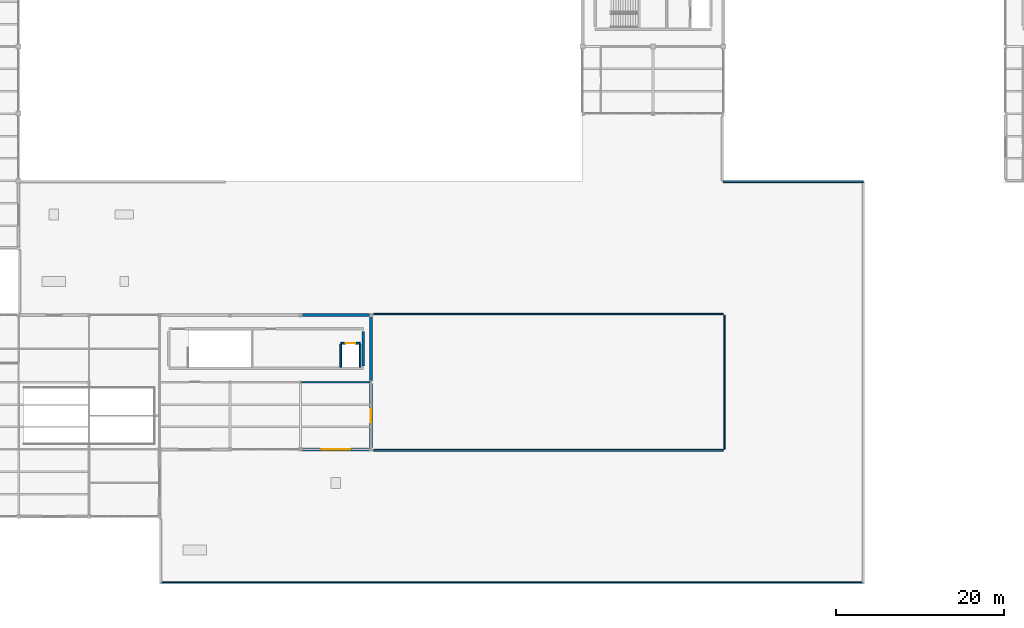
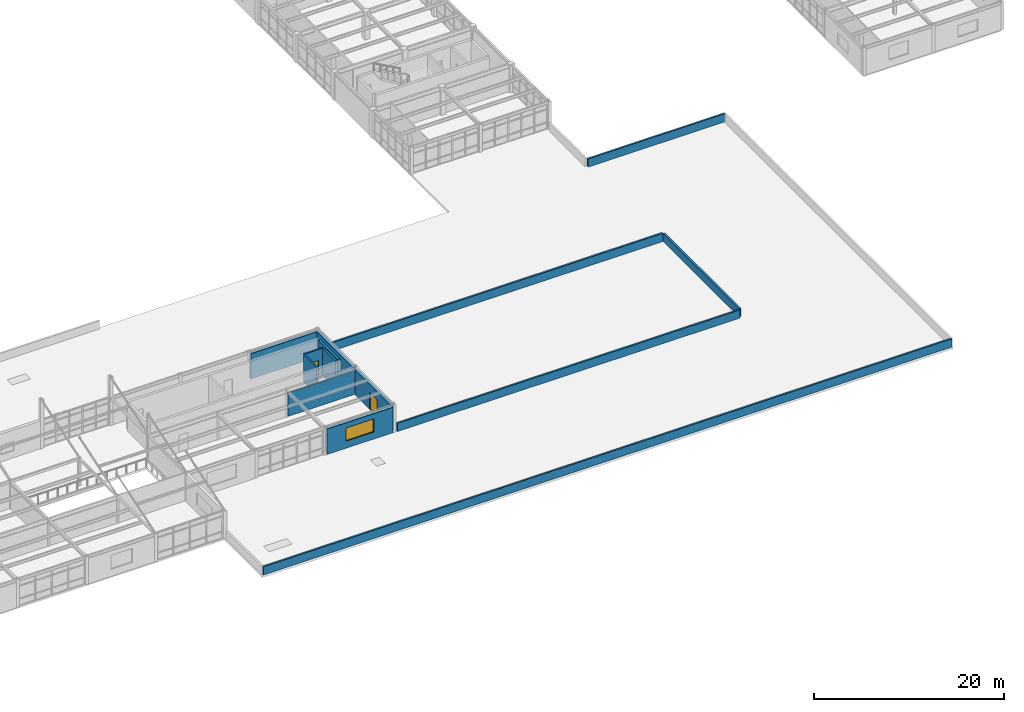
# One storey, part 48 of 96: 14 walls, 2 doors, 1 window, 3 openings.
"""IFC4 building model written with IfcOpenShell, lengths in metres."""

from ifc_helpers import new_model, si_unit, direction, frame, frame_2d, origin, place, context, subcontext, project, spatial, rectangle, extrude, material, layer, layer_set, type_object, element, fill, save


model = new_model("IFC4")

# Units and contexts
model_context = context("Model", 3, precision=1e-05, world=origin(), true_north=direction((0.0, 1.0)))
body_context = subcontext(model_context, "Body", "Model", "MODEL_VIEW")
ifc_project = project(units=[si_unit("LENGTHUNIT", "METRE"), si_unit("AREAUNIT", "SQUARE_METRE"), si_unit("VOLUMEUNIT", "CUBIC_METRE"), si_unit("PLANEANGLEUNIT", "RADIAN"), si_unit("MASSUNIT", "GRAM", prefix="KILO")], contexts=[model_context])

# Site, building, storey
site_placement = place(None, origin())
site = spatial("IfcSite", under=ifc_project, at=site_placement, CompositionType="ELEMENT")
building_placement = place(site_placement, origin())
building = spatial("IfcBuilding", under=site, at=building_placement, Name="Kranzveld Transit Interchange", CompositionType="ELEMENT")
storey_placement = place(building_placement, frame((0.0, 0.0, 9.52001953125)))
storey = spatial("IfcBuildingStorey", under=building, at=storey_placement, Name="L02", CompositionType="ELEMENT", Elevation=9.52001953125)

# Walls
ifc_material_1 = material(Name="Clay masonry unit wall, 20 MPa", Category="masonry")
ifc_layer_1 = layer(ifc_material_1, 0.139892578125)
ifc_layer_set_1 = layer_set([ifc_layer_1], Name="Clay masonry unit wall, 20 MPa")
wall_type_1 = type_object("IfcWallType", Name="Acoustic Stud Partition 140", PredefinedType="PARTITIONING", material=ifc_layer_set_1)
wall_1_placement = place(storey_placement, frame((67.3193359375, 32.0, 0.0), z_axis=(0.0, 0.0, 1.0), x_axis=(1.0, 0.0, 0.0)))
element("IfcWall", 1, at=wall_1_placement, inside=storey, type_object=wall_type_1, Name="L02 Partition IW-L02-L02BUSPAV-FRT-224-2", PredefinedType="PARTITIONING", context=body_context, shape_type="SweptSolid", body=[
    extrude(rectangle(XDim=8.103271484375, YDim=0.139892578125, at=frame_2d((4.0517578125, 0.0))), origin(), (0.0, 0.0, 1.0), 3.036865234375),
])
ifc_material_2 = material(Name="Concrete C40/50", Category="concrete")
ifc_layer_2 = layer(ifc_material_2, 0.300048828125)
ifc_layer_set_2 = layer_set([ifc_layer_2], Name="Concrete C40/50")
wall_type_2 = type_object("IfcWallType", Name="Core Shear Wall RC 300 C40/50", PredefinedType="SHEAR", material=ifc_layer_set_2)
wall_2_placement = place(storey_placement, frame((74.699951171875, 33.93994140625, 0.0), z_axis=(0.0, 0.0, 1.0), x_axis=(0.0, 1.0, 0.0)))
element("IfcWall", 2, at=wall_2_placement, inside=storey, type_object=wall_type_2, Name="L02 Metro East & Bus Mezzanine Core C6 Shear Wall E", PredefinedType="SHEAR", context=body_context, shape_type="SweptSolid", body=[
    extrude(rectangle(XDim=4.1201171875, YDim=0.300048828125, at=frame_2d((2.06005859375, 0.0))), origin(), (0.0, 0.0, 1.0), 3.570068359375),
])
ifc_material_3 = material(Name="Pretoria red-purple clinker clay face brick, 35 MPa", Category="masonry")
ifc_layer_3 = layer(ifc_material_3, 0.360107421875)
ifc_layer_set_3 = layer_set([ifc_layer_3], Name="Pretoria red-purple clinker clay face brick, 35 MPa")
wall_type_3 = type_object("IfcWallType", Name="Exterior Cavity Wall Red Clinker 360", PredefinedType="SOLIDWALL", material=ifc_layer_set_3)
wall_3_placement = place(storey_placement, frame((67.38720703125, 40.0, 0.0), z_axis=(0.0, 0.0, 1.0), x_axis=(1.0, 0.0, 0.0)))
element("IfcWall", 3, at=wall_3_placement, inside=storey, type_object=wall_type_3, Name="L02 Clinker Facade Wall 09/F-10/F", PredefinedType="SOLIDWALL", context=body_context, shape_type="SweptSolid", body=[
    extrude(rectangle(XDim=8.025390625, YDim=0.360107421875, at=frame_2d((4.0126953125, 0.0))), origin(), (0.0, 0.0, 1.0), 3.27001953125),
])

# Wall, opening, door
wall_4_placement = place(storey_placement, frame((75.60009765625, 24.187255859375, 0.0), z_axis=(0.0, 0.0, 1.0), x_axis=(0.0, 1.0, 0.0)))
wall_4 = element("IfcWall", 4, at=wall_4_placement, inside=storey, type_object=wall_type_3, Name="L02 Clinker Facade Wall 10/D-10/E", PredefinedType="SOLIDWALL", context=body_context, shape_type="SweptSolid", body=[
    extrude(rectangle(XDim=7.62548828125, YDim=0.360107421875, at=frame_2d((3.812744140625, 0.0))), origin(), (0.0, 0.0, 1.0), 3.218505859375),
])
opening_1_placement = place(wall_4_placement, frame((4.587646484375, 0.0, 0.0), z_axis=(0.0, 0.0, 1.0), x_axis=(-1.0, 0.0, 0.0)))
opening_1 = element("IfcOpeningElement", 5, at=opening_1_placement, cuts=wall_4, Name="Opening ED-L02-16", PredefinedType="OPENING", context=body_context, shape_type="SweptSolid", body=[
    extrude(rectangle(XDim=1.550048828125, YDim=2.199951171875, at=frame_2d((0.77490234375, 1.10009765625))), frame((0.0, 0.18994140625, 0.0), z_axis=(0.0, -1.0, 0.0), x_axis=(1.0, 0.0, 0.0)), (0.0, 0.0, 1.0), 0.380126953125),
])
ifc_material_4 = material(Name="Bronze-anodised thermally broken aluminium", Category="aluminium")
door_type_1 = type_object("IfcDoorType", Name="Walkable Terrace Glazed Double Door 1550x2200", OperationType="NOTDEFINED", PredefinedType="DOOR", material=ifc_material_4)
door_1_placement = place(opening_1_placement, origin())
door_1 = element("IfcDoor", 6, at=door_1_placement, inside=storey, type_object=door_type_1, Name="L02 Terrace Door TERR_L02_BUS", OperationType="DOUBLE_DOOR_SINGLE_SWING", OverallHeight=2.199951171875, OverallWidth=1.550048828125, PredefinedType="DOOR", context=body_context, shape_type="SweptSolid", body=[
    extrude(rectangle(XDim=1.550048828125, YDim=2.199951171875, at=frame_2d((0.77490234375, 1.10009765625))), frame((0.0, 0.02490234375, 0.0), z_axis=(0.0, -1.0, 0.0), x_axis=(1.0, 0.0, 0.0)), (0.0, 0.0, 1.0), 0.050048828125),
])
fill(opening_1, door_1)

# Wall
wall_5_placement = place(storey_placement, frame((75.60009765625, 32.187255859375, 0.0), z_axis=(0.0, 0.0, 1.0), x_axis=(0.0, 1.0, 0.0)))
element("IfcWall", 7, at=wall_5_placement, inside=storey, type_object=wall_type_3, Name="L02 Clinker Facade Wall 10/E-10/F", PredefinedType="SOLIDWALL", context=body_context, shape_type="SweptSolid", body=[
    extrude(rectangle(XDim=7.62548828125, YDim=0.360107421875, at=frame_2d((3.812744140625, 0.0))), origin(), (0.0, 0.0, 1.0), 3.27001953125),
])

# Wall, opening, window
wall_6_placement = place(storey_placement, frame((67.38720703125, 24.0, 0.0), z_axis=(0.0, 0.0, 1.0), x_axis=(1.0, 0.0, 0.0)))
wall_6 = element("IfcWall", 8, at=wall_6_placement, inside=storey, type_object=wall_type_3, Name="L02 Clinker Facade Wall 09/D-10/D", PredefinedType="SOLIDWALL", context=body_context, shape_type="SweptSolid", body=[
    extrude(rectangle(XDim=8.025390625, YDim=0.360107421875, at=frame_2d((4.0126953125, 0.0))), origin(), (0.0, 0.0, 1.0), 3.27001953125),
])
opening_2_placement = place(wall_6_placement, frame((2.312744140625, 0.0, 0.89990234375), z_axis=(0.0, 0.0, 1.0), x_axis=(1.0, 0.0, 0.0)))
opening_2 = element("IfcOpeningElement", 9, at=opening_2_placement, cuts=wall_6, Name="Opening W-02", PredefinedType="OPENING", context=body_context, shape_type="SweptSolid", body=[
    extrude(rectangle(XDim=3.39990234375, YDim=1.699951171875, at=frame_2d((1.699951171875, 0.85009765625))), frame((0.0, 0.18994140625, 0.0), z_axis=(0.0, -1.0, 0.0), x_axis=(1.0, 0.0, 0.0)), (0.0, 0.0, 1.0), 0.380126953125),
])
ifc_material_5 = material(Name="Solar-control double glazing", Category="glass")
window_type = type_object("IfcWindowType", Name="Window Ribbon Triple 3400x1700", PartitioningType="TRIPLE_PANEL_VERTICAL", PredefinedType="WINDOW", material=ifc_material_5)
window_placement = place(opening_2_placement, origin())
window = element("IfcWindow", 10, at=window_placement, inside=storey, type_object=window_type, Name="L02 Facade Window 09/D", OverallHeight=1.699951171875, OverallWidth=3.39990234375, PartitioningType="TRIPLE_PANEL_VERTICAL", PredefinedType="WINDOW", context=body_context, shape_type="SweptSolid", body=[
    extrude(rectangle(XDim=3.39990234375, YDim=1.699951171875, at=frame_2d((1.699951171875, 0.85009765625))), frame((0.0, 0.030029296875, 0.0), z_axis=(0.0, -1.0, 0.0), x_axis=(1.0, 0.0, 0.0)), (0.0, 0.0, 1.0), 0.06005859375),
])
fill(opening_2, window)

# Wall, opening, door
ifc_material_6 = material(Name="Concrete C40/50", Category="concrete")
ifc_layer_4 = layer(ifc_material_6, 0.199951171875)
ifc_layer_set_4 = layer_set([ifc_layer_4], Name="Concrete C40/50")
wall_type_4 = type_object("IfcWallType", Name="Lift Shaft Enclosure Wall RC 200 EI120", PredefinedType="SHEAR", material=ifc_layer_set_4)
wall_7_placement = place(storey_placement, frame((72.0, 36.639892578125, 0.0), z_axis=(0.0, 0.0, 1.0), x_axis=(1.0, 0.0, 0.0)))
wall_7 = element("IfcWall", 11, at=wall_7_placement, inside=storey, type_object=wall_type_4, Name="L02 LF-B1 Shaft Front Wall", PredefinedType="SHEAR", context=body_context, shape_type="SweptSolid", body=[
    extrude(rectangle(XDim=2.300048828125, YDim=0.199951171875, at=frame_2d((1.14990234375, 0.0))), origin(), (0.0, 0.0, 1.0), 3.570068359375),
])
opening_3_placement = place(wall_7_placement, frame((0.60009765625, 0.0, 0.0), z_axis=(0.0, 0.0, 1.0), x_axis=(1.0, 0.0, 0.0)))
opening_3 = element("IfcOpeningElement", 12, at=opening_3_placement, cuts=wall_7, Name="Opening LD-LF-B1-L02", PredefinedType="OPENING", context=body_context, shape_type="SweptSolid", body=[
    extrude(rectangle(XDim=1.10009765625, YDim=2.14990234375, at=frame_2d((0.550048828125, 1.074951171875))), frame((0.0, 0.10986328125, 0.0), z_axis=(0.0, -1.0, 0.0), x_axis=(1.0, 0.0, 0.0)), (0.0, 0.0, 1.0), 0.219970703125),
])
ifc_material_7 = material(Name="Steel S355JR", Category="steel")
door_type_2 = type_object("IfcDoorType", Name="Lift Landing Sliding Door 1100x2150 FD120S", OperationType="NOTDEFINED", PredefinedType="DOOR", material=ifc_material_7)
door_2_placement = place(opening_3_placement, origin())
door_2 = element("IfcDoor", 13, at=door_2_placement, inside=storey, type_object=door_type_2, Name="L02 LF-B1 Sliding Landing Door", OperationType="DOUBLE_DOOR_SLIDING", OverallHeight=2.14990234375, OverallWidth=1.10009765625, PredefinedType="DOOR", context=body_context, shape_type="SweptSolid", body=[
    extrude(rectangle(XDim=1.10009765625, YDim=2.14990234375, at=frame_2d((0.550048828125, 1.074951171875))), frame((0.0, 0.02490234375, 0.0), z_axis=(0.0, -1.0, 0.0), x_axis=(1.0, 0.0, 0.0)), (0.0, 0.0, 1.0), 0.050048828125),
])
fill(opening_3, door_2)

# Walls
for number, where, z_axis, x_axis, name in (
    (14, (72.0, 33.7900390625, 0.0), (0.0, 0.0, 1.0), (0.0, 1.0, 0.0), "L02 LF-B1 Shaft Side Wall W"),
    (15, (74.300048828125, 33.7900390625, 0.0), (0.0, 0.0, 1.0), (0.0, 1.0, 0.0), "L02 LF-B1 Shaft Side Wall E"),
):
    element("IfcWall", number, at=place(storey_placement, frame(where, z_axis=z_axis, x_axis=x_axis)), inside=storey, type_object=wall_type_4, Name=name, PredefinedType="SHEAR", context=body_context, shape_type="SweptSolid", body=[
        extrude(rectangle(XDim=2.75, YDim=0.199951171875, at=frame_2d((1.375, 0.0))), origin(), (0.0, 0.0, 1.0), 3.570068359375),
    ])
ifc_material_8 = material(Name="Pretoria red-purple clinker clay face brick, 35 MPa", Category="masonry")
ifc_layer_5 = layer(ifc_material_8, 0.22998046875)
ifc_layer_set_5 = layer_set([ifc_layer_5], Name="Pretoria red-purple clinker clay face brick, 35 MPa")
wall_type_5 = type_object("IfcWallType", Name="Roof Parapet Wall Clinker Brick 230", PredefinedType="PARAPET", material=ifc_layer_set_5)
wall_8_placement = place(storey_placement, frame((117.719970703125, 24.0, 0.0), z_axis=(0.0, 0.0, 1.0), x_axis=(0.0, 1.0, 0.0)))
element("IfcWall", 16, at=wall_8_placement, inside=storey, type_object=wall_type_5, Name="L02 Roof Parapet 010", PredefinedType="PARAPET", context=body_context, shape_type="SweptSolid", body=[
    extrude(rectangle(XDim=16.0, YDim=0.22998046875, at=frame_2d((8.0, 0.0))), origin(), (0.0, 0.0, 1.0), 1.050048828125),
])
ifc_material_9 = material(Name="Dark Pretoria clinker clay plinth brick, 40 MPa", Category="masonry")
ifc_layer_6 = layer(ifc_material_9, 0.215087890625)
ifc_layer_set_6 = layer_set([ifc_layer_6], Name="Dark Pretoria clinker clay plinth brick, 40 MPa")
wall_type_6 = type_object("IfcWallType", Name="Terrace Parapet Upstand Brick 215", PredefinedType="PARAPET", material=ifc_layer_set_6)
for number, where, z_axis, x_axis, name in (
    (17, (75.92822265625, 23.8798828125, 0.0), (0.0, 0.0, 1.0), (1.0, 0.0, 0.0), "L02 Roof Parapet 009"),
    (18, (117.60009765625, 40.1201171875, 0.0), (0.0, 0.0, 1.0), (-1.0, 0.0, 0.0), "L02 Roof Parapet 011"),
):
    element("IfcWall", number, at=place(storey_placement, frame(where, z_axis=z_axis, x_axis=x_axis)), inside=storey, type_object=wall_type_6, Name=name, PredefinedType="PARAPET", context=body_context, shape_type="SweptSolid", body=[
        extrude(rectangle(XDim=41.671875, YDim=0.215087890625, at=frame_2d((20.8359375, 0.0))), origin(), (0.0, 0.0, 1.0), 1.050048828125),
    ])
wall_9_placement = place(storey_placement, frame((117.60009765625, 55.8798828125, 0.0), z_axis=(0.0, 0.0, 1.0), x_axis=(1.0, 0.0, 0.0)))
element("IfcWall", 19, at=wall_9_placement, inside=storey, type_object=wall_type_6, Name="L02 Roof Parapet 015", PredefinedType="PARAPET", context=body_context, shape_type="SweptSolid", body=[
    extrude(rectangle(XDim=16.679931640625, YDim=0.215087890625, at=frame_2d((8.33984375, 0.0))), origin(), (0.0, 0.0, 1.0), 1.050048828125),
])
wall_10_placement = place(storey_placement, frame((134.280029296875, 8.1201171875, 0.0), z_axis=(0.0, 0.0, 1.0), x_axis=(-1.0, 0.0, 0.0)))
element("IfcWall", 20, at=wall_10_placement, inside=storey, type_object=wall_type_6, Name="L02 Roof Parapet 017", PredefinedType="PARAPET", context=body_context, shape_type="SweptSolid", body=[
    extrude(rectangle(XDim=83.760009765625, YDim=0.215087890625, at=frame_2d((41.8798828125, 0.0))), origin(), (0.0, 0.0, 1.0), 1.050048828125),
])

save(model, "model.ifc")
